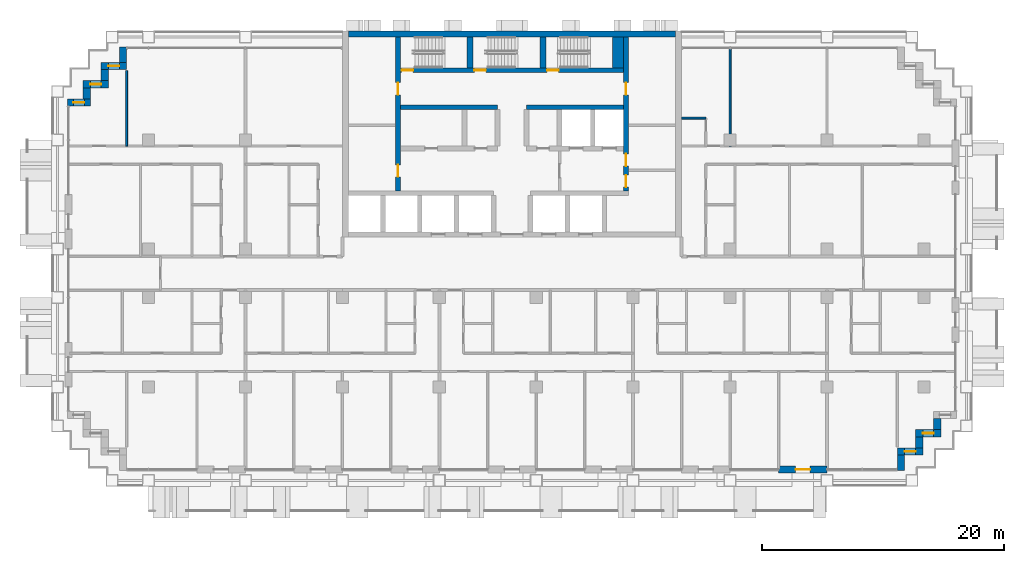
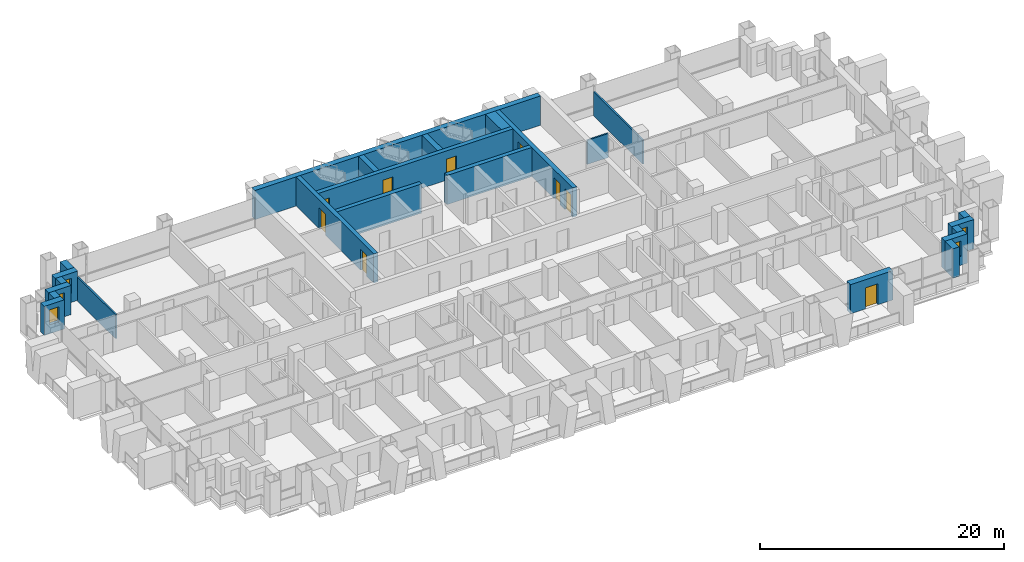
# One storey, part 13 of 19: 24 walls, 9 doors, 5 windows, 14 openings.
"""IFC4 building model written with IfcOpenShell, lengths in metres."""

from ifc_helpers import new_model, si_unit, direction, frame, frame_2d, origin, place, context, subcontext, project, spatial, rectangle, extrude, material, layer, layer_set, type_object, element, fill, save


model = new_model("IFC4")

# Units and contexts
model_context = context("Model", 3, precision=1e-05, world=origin(), true_north=direction((0.0, 1.0)))
body_context = subcontext(model_context, "Body", "Model", "MODEL_VIEW")
ifc_project = project(units=[si_unit("LENGTHUNIT", "METRE"), si_unit("AREAUNIT", "SQUARE_METRE"), si_unit("VOLUMEUNIT", "CUBIC_METRE"), si_unit("PLANEANGLEUNIT", "RADIAN"), si_unit("MASSUNIT", "GRAM", prefix="KILO")], contexts=[model_context])

# Site, building, storey
site_placement = place(None, origin())
site = spatial("IfcSite", under=ifc_project, at=site_placement, CompositionType="ELEMENT")
building_placement = place(site_placement, origin())
building = spatial("IfcBuilding", under=site, at=building_placement, Name="Vidyagriha Tower", CompositionType="ELEMENT")
storey_placement = place(building_placement, frame((0.0, 0.0, 57.60009765625)))
storey = spatial("IfcBuildingStorey", under=building, at=storey_placement, Name="L15", CompositionType="ELEMENT", Elevation=57.60009765625)

# Wall
ifc_material_1 = material(Name="Precast concrete C40/50 with brick facing", Category="concrete")
ifc_layer_1 = layer(ifc_material_1, 0.60009765625)
ifc_layer_set_1 = layer_set([ifc_layer_1], Name="Precast concrete C40/50 with brick facing")
wall_type_1 = type_object("IfcWallType", Name="Brick-faced precast wall 600", PredefinedType="STANDARD", material=ifc_layer_set_1)
wall_1_placement = place(storey_placement, frame((-32.10009765625, 18.679931640625, 0.0), z_axis=(0.0, 0.0, 1.0), x_axis=(0.0, -1.0, 0.0)))
element("IfcWall", 1, at=wall_1_placement, inside=storey, type_object=wall_type_1, Name="Stepped corner wall L15 R10", PredefinedType="STANDARD", context=body_context, shape_type="SweptSolid", body=[
    extrude(rectangle(XDim=1.280029296875, YDim=0.60009765625, at=frame_2d((0.64013671875, 0.0))), origin(), (0.0, 0.0, 1.0), 2.919921875),
])

# Wall, opening, window
wall_2_placement = place(storey_placement, frame((-31.800048828125, 17.10009765625, 0.0), z_axis=(0.0, 0.0, 1.0), x_axis=(-1.0, 0.0, 0.0)))
wall_2 = element("IfcWall", 2, at=wall_2_placement, inside=storey, type_object=wall_type_1, Name="Stepped corner wall L15 R11", PredefinedType="STANDARD", context=body_context, shape_type="SweptSolid", body=[
    extrude(rectangle(XDim=2.099853515625, YDim=0.60009765625, at=frame_2d((1.0498046875, 0.0))), origin(), (0.0, 0.0, 1.0), 2.919921875),
])
opening_1_placement = place(wall_2_placement, frame((0.60009765625, 0.0, 0.89990234375)))
opening_1 = element("IfcOpeningElement", 3, at=opening_1_placement, cuts=wall_2, Name="Opening WN1", PredefinedType="OPENING", context=body_context, shape_type="SweptSolid", body=[
    extrude(rectangle(XDim=0.89990234375, YDim=1.5, at=frame_2d((0.449951171875, 0.75))), frame((0.0, 0.31005859375, 0.0), z_axis=(0.0, -1.0, 0.0), x_axis=(1.0, 0.0, 0.0)), (0.0, 0.0, 1.0), 0.6201171875),
])
ifc_material_2 = material(Name="Aluminium and glass window", Category="aluminium")
window_type = type_object("IfcWindowType", Name="Reveal window 900x1500", PartitioningType="NOTDEFINED", PredefinedType="WINDOW", material=ifc_material_2)
window_1_placement = place(opening_1_placement, origin())
window_1 = element("IfcWindow", 4, at=window_1_placement, inside=storey, type_object=window_type, Name="Reveal window L15 R11", OverallHeight=1.5, OverallWidth=0.89990234375, PartitioningType="SINGLE_PANEL", PredefinedType="WINDOW", context=body_context, shape_type="SweptSolid", body=[
    extrude(rectangle(XDim=0.89990234375, YDim=1.5, at=frame_2d((0.449951171875, 0.75))), frame((0.0, 0.030029296875, 0.0), z_axis=(0.0, -1.0, 0.0), x_axis=(1.0, 0.0, 0.0)), (0.0, 0.0, 1.0), 0.06005859375),
])
fill(opening_1, window_1)

# Wall
wall_3_placement = place(storey_placement, frame((-33.60009765625, 16.800048828125, 0.0), z_axis=(0.0, 0.0, 1.0), x_axis=(0.0, -1.0, 0.0)))
element("IfcWall", 5, at=wall_3_placement, inside=storey, type_object=wall_type_1, Name="Stepped corner wall L15 R12", PredefinedType="STANDARD", context=body_context, shape_type="SweptSolid", body=[
    extrude(rectangle(XDim=0.900146484375, YDim=0.60009765625, at=frame_2d((0.4501953125, 0.0))), origin(), (0.0, 0.0, 1.0), 2.919921875),
])

# Wall, opening, window
wall_4_placement = place(storey_placement, frame((-33.300048828125, 15.60009765625, 0.0), z_axis=(0.0, 0.0, 1.0), x_axis=(-1.0, 0.0, 0.0)))
wall_4 = element("IfcWall", 6, at=wall_4_placement, inside=storey, type_object=wall_type_1, Name="Stepped corner wall L15 R13", PredefinedType="STANDARD", context=body_context, shape_type="SweptSolid", body=[
    extrude(rectangle(XDim=2.099853515625, YDim=0.60009765625, at=frame_2d((1.0498046875, 0.0))), origin(), (0.0, 0.0, 1.0), 2.919921875),
])
opening_2_placement = place(wall_4_placement, frame((0.60009765625, 0.0, 0.89990234375)))
opening_2 = element("IfcOpeningElement", 7, at=opening_2_placement, cuts=wall_4, Name="Opening WN1", PredefinedType="OPENING", context=body_context, shape_type="SweptSolid", body=[
    extrude(rectangle(XDim=0.89990234375, YDim=1.5, at=frame_2d((0.449951171875, 0.75))), frame((0.0, 0.31005859375, 0.0), z_axis=(0.0, -1.0, 0.0), x_axis=(1.0, 0.0, 0.0)), (0.0, 0.0, 1.0), 0.6201171875),
])
window_2_placement = place(opening_2_placement, origin())
window_2 = element("IfcWindow", 8, at=window_2_placement, inside=storey, type_object=window_type, Name="Reveal window L15 R13", OverallHeight=1.5, OverallWidth=0.89990234375, PartitioningType="SINGLE_PANEL", PredefinedType="WINDOW", context=body_context, shape_type="SweptSolid", body=[
    extrude(rectangle(XDim=0.89990234375, YDim=1.5, at=frame_2d((0.449951171875, 0.75))), frame((0.0, 0.030029296875, 0.0), z_axis=(0.0, -1.0, 0.0), x_axis=(1.0, 0.0, 0.0)), (0.0, 0.0, 1.0), 0.06005859375),
])
fill(opening_2, window_2)

# Wall
wall_5_placement = place(storey_placement, frame((-35.10009765625, 15.300048828125, 0.0), z_axis=(0.0, 0.0, 1.0), x_axis=(0.0, -1.0, 0.0)))
element("IfcWall", 9, at=wall_5_placement, inside=storey, type_object=wall_type_1, Name="Stepped corner wall L15 R14", PredefinedType="STANDARD", context=body_context, shape_type="SweptSolid", body=[
    extrude(rectangle(XDim=0.900146484375, YDim=0.60009765625, at=frame_2d((0.4501953125, 0.0))), origin(), (0.0, 0.0, 1.0), 2.919921875),
])

# Wall, opening, window
wall_6_placement = place(storey_placement, frame((-34.800048828125, 14.10009765625, 0.0), z_axis=(0.0, 0.0, 1.0), x_axis=(-1.0, 0.0, 0.0)))
wall_6 = element("IfcWall", 10, at=wall_6_placement, inside=storey, type_object=wall_type_1, Name="Stepped corner wall L15 R15", PredefinedType="STANDARD", context=body_context, shape_type="SweptSolid", body=[
    extrude(rectangle(XDim=1.8798828125, YDim=0.60009765625, at=frame_2d((0.93994140625, 0.0))), origin(), (0.0, 0.0, 1.0), 2.919921875),
])
opening_3_placement = place(wall_6_placement, frame((0.489990234375, 0.0, 0.89990234375)))
opening_3 = element("IfcOpeningElement", 11, at=opening_3_placement, cuts=wall_6, Name="Opening WN1", PredefinedType="OPENING", context=body_context, shape_type="SweptSolid", body=[
    extrude(rectangle(XDim=0.89990234375, YDim=1.5, at=frame_2d((0.449951171875, 0.75))), frame((0.0, 0.31005859375, 0.0), z_axis=(0.0, -1.0, 0.0), x_axis=(1.0, 0.0, 0.0)), (0.0, 0.0, 1.0), 0.6201171875),
])
window_3_placement = place(opening_3_placement, origin())
window_3 = element("IfcWindow", 12, at=window_3_placement, inside=storey, type_object=window_type, Name="Reveal window L15 R15", OverallHeight=1.5, OverallWidth=0.89990234375, PartitioningType="SINGLE_PANEL", PredefinedType="WINDOW", context=body_context, shape_type="SweptSolid", body=[
    extrude(rectangle(XDim=0.89990234375, YDim=1.5, at=frame_2d((0.449951171875, 0.75))), frame((0.0, 0.030029296875, 0.0), z_axis=(0.0, -1.0, 0.0), x_axis=(1.0, 0.0, 0.0)), (0.0, 0.0, 1.0), 0.06005859375),
])
fill(opening_3, window_3)

# Wall, opening, door
wall_7_placement = place(storey_placement, frame((22.0, -16.199951171875, 0.0)))
wall_7 = element("IfcWall", 13, at=wall_7_placement, inside=storey, type_object=wall_type_1, Name="Brick door bay wall L15 R23.15", PredefinedType="STANDARD", context=body_context, shape_type="SweptSolid", body=[
    extrude(rectangle(XDim=4.0, YDim=0.60009765625, at=frame_2d((2.0, 0.0))), origin(), (0.0, 0.0, 1.0), 2.919921875),
])
opening_4_placement = place(wall_7_placement, frame((1.39990234375, 0.0, 0.0)))
opening_4 = element("IfcOpeningElement", 14, at=opening_4_placement, cuts=wall_7, Name="Opening D15-90", PredefinedType="OPENING", context=body_context, shape_type="SweptSolid", body=[
    extrude(rectangle(XDim=1.199951171875, YDim=2.10009765625, at=frame_2d((0.60009765625, 1.050048828125))), frame((0.0, 0.31005859375, 0.0), z_axis=(0.0, -1.0, 0.0), x_axis=(1.0, 0.0, 0.0)), (0.0, 0.0, 1.0), 0.6201171875),
])
ifc_material_3 = material(Name="Aluminium framed glazed sliding door", Category="aluminium")
door_type_1 = type_object("IfcDoorType", Name="Balcony sliding door 1200x2100", OperationType="NOTDEFINED", PredefinedType="DOOR", material=ifc_material_3)
door_1_placement = place(opening_4_placement, origin())
door_1 = element("IfcDoor", 15, at=door_1_placement, inside=storey, type_object=door_type_1, Name="Door D15-90", OperationType="SLIDING_TO_LEFT", OverallHeight=2.10009765625, OverallWidth=1.199951171875, PredefinedType="DOOR", context=body_context, shape_type="SweptSolid", body=[
    extrude(rectangle(XDim=1.199951171875, YDim=2.10009765625, at=frame_2d((0.60009765625, 1.050048828125))), frame((0.0, 0.02490234375, 0.0), z_axis=(0.0, -1.0, 0.0), x_axis=(1.0, 0.0, 0.0)), (0.0, 0.0, 1.0), 0.050048828125),
])
fill(opening_4, door_1)

# Wall
wall_8_placement = place(storey_placement, frame((32.10009765625, -16.280029296875, 0.0), z_axis=(0.0, 0.0, 1.0), x_axis=(0.0, 1.0, 0.0)))
element("IfcWall", 16, at=wall_8_placement, inside=storey, type_object=wall_type_1, Name="Stepped corner wall L15 R24", PredefinedType="STANDARD", context=body_context, shape_type="SweptSolid", body=[
    extrude(rectangle(XDim=1.280029296875, YDim=0.60009765625, at=frame_2d((0.64013671875, 0.0))), origin(), (0.0, 0.0, 1.0), 2.919921875),
])

# Wall, opening, window
wall_9_placement = place(storey_placement, frame((31.800048828125, -14.699951171875, 0.0)))
wall_9 = element("IfcWall", 17, at=wall_9_placement, inside=storey, type_object=wall_type_1, Name="Stepped corner wall L15 R25", PredefinedType="STANDARD", context=body_context, shape_type="SweptSolid", body=[
    extrude(rectangle(XDim=2.099853515625, YDim=0.60009765625, at=frame_2d((1.0498046875, 0.0))), origin(), (0.0, 0.0, 1.0), 2.919921875),
])
opening_5_placement = place(wall_9_placement, frame((0.60009765625, 0.0, 0.89990234375)))
opening_5 = element("IfcOpeningElement", 18, at=opening_5_placement, cuts=wall_9, Name="Opening WN1", PredefinedType="OPENING", context=body_context, shape_type="SweptSolid", body=[
    extrude(rectangle(XDim=0.89990234375, YDim=1.5, at=frame_2d((0.449951171875, 0.75))), frame((0.0, 0.31005859375, 0.0), z_axis=(0.0, -1.0, 0.0), x_axis=(1.0, 0.0, 0.0)), (0.0, 0.0, 1.0), 0.6201171875),
])
window_4_placement = place(opening_5_placement, origin())
window_4 = element("IfcWindow", 19, at=window_4_placement, inside=storey, type_object=window_type, Name="Reveal window L15 R25", OverallHeight=1.5, OverallWidth=0.89990234375, PartitioningType="SINGLE_PANEL", PredefinedType="WINDOW", context=body_context, shape_type="SweptSolid", body=[
    extrude(rectangle(XDim=0.89990234375, YDim=1.5, at=frame_2d((0.449951171875, 0.75))), frame((0.0, 0.030029296875, 0.0), z_axis=(0.0, -1.0, 0.0), x_axis=(1.0, 0.0, 0.0)), (0.0, 0.0, 1.0), 0.06005859375),
])
fill(opening_5, window_4)

# Wall
wall_10_placement = place(storey_placement, frame((33.60009765625, -14.39990234375, 0.0), z_axis=(0.0, 0.0, 1.0), x_axis=(0.0, 1.0, 0.0)))
element("IfcWall", 20, at=wall_10_placement, inside=storey, type_object=wall_type_1, Name="Stepped corner wall L15 R26", PredefinedType="STANDARD", context=body_context, shape_type="SweptSolid", body=[
    extrude(rectangle(XDim=0.89990234375, YDim=0.60009765625, at=frame_2d((0.449951171875, 0.0))), origin(), (0.0, 0.0, 1.0), 2.919921875),
])

# Wall, opening, window
wall_11_placement = place(storey_placement, frame((33.300048828125, -13.199951171875, 0.0)))
wall_11 = element("IfcWall", 21, at=wall_11_placement, inside=storey, type_object=wall_type_1, Name="Stepped corner wall L15 R27", PredefinedType="STANDARD", context=body_context, shape_type="SweptSolid", body=[
    extrude(rectangle(XDim=2.099853515625, YDim=0.60009765625, at=frame_2d((1.0498046875, 0.0))), origin(), (0.0, 0.0, 1.0), 2.919921875),
])
opening_6_placement = place(wall_11_placement, frame((0.60009765625, 0.0, 0.89990234375)))
opening_6 = element("IfcOpeningElement", 22, at=opening_6_placement, cuts=wall_11, Name="Opening WN1", PredefinedType="OPENING", context=body_context, shape_type="SweptSolid", body=[
    extrude(rectangle(XDim=0.89990234375, YDim=1.5, at=frame_2d((0.449951171875, 0.75))), frame((0.0, 0.31005859375, 0.0), z_axis=(0.0, -1.0, 0.0), x_axis=(1.0, 0.0, 0.0)), (0.0, 0.0, 1.0), 0.6201171875),
])
window_5_placement = place(opening_6_placement, origin())
window_5 = element("IfcWindow", 23, at=window_5_placement, inside=storey, type_object=window_type, Name="Reveal window L15 R27", OverallHeight=1.5, OverallWidth=0.89990234375, PartitioningType="SINGLE_PANEL", PredefinedType="WINDOW", context=body_context, shape_type="SweptSolid", body=[
    extrude(rectangle(XDim=0.89990234375, YDim=1.5, at=frame_2d((0.449951171875, 0.75))), frame((0.0, 0.030029296875, 0.0), z_axis=(0.0, -1.0, 0.0), x_axis=(1.0, 0.0, 0.0)), (0.0, 0.0, 1.0), 0.06005859375),
])
fill(opening_6, window_5)

# Wall
wall_12_placement = place(storey_placement, frame((35.10009765625, -12.89990234375, 0.0), z_axis=(0.0, 0.0, 1.0), x_axis=(0.0, 1.0, 0.0)))
element("IfcWall", 24, at=wall_12_placement, inside=storey, type_object=wall_type_1, Name="Stepped corner wall L15 R28", PredefinedType="STANDARD", context=body_context, shape_type="SweptSolid", body=[
    extrude(rectangle(XDim=0.89990234375, YDim=0.60009765625, at=frame_2d((0.449951171875, 0.0))), origin(), (0.0, 0.0, 1.0), 2.919921875),
])

# Wall, openings, doors
ifc_material_4 = material(Name="Concrete C60/75", Category="concrete")
ifc_layer_2 = layer(ifc_material_4, 0.39990234375)
ifc_layer_set_2 = layer_set([ifc_layer_2], Name="Concrete C60/75")
wall_type_2 = type_object("IfcWallType", Name="Core shear wall 400 mm", PredefinedType="SHEAR", material=ifc_layer_set_2)
wall_13_placement = place(storey_placement, frame((-9.39990234375, 6.800048828125, 0.0), z_axis=(0.0, 0.0, 1.0), x_axis=(0.0, 1.0, 0.0)))
wall_13 = element("IfcWall", 25, at=wall_13_placement, inside=storey, type_object=wall_type_2, Name="Core west spine wall", PredefinedType="SHEAR", context=body_context, shape_type="SweptSolid", body=[
    extrude(rectangle(XDim=12.699951171875, YDim=0.39990234375, at=frame_2d((6.35009765625, 0.0))), origin(), (0.0, 0.0, 1.0), 2.919921875),
])
opening_7_placement = place(wall_13_placement, frame((1.14990234375, 0.0, 0.0)))
opening_7 = element("IfcOpeningElement", 26, at=opening_7_placement, cuts=wall_13, Name="Opening D15-09", PredefinedType="OPENING", context=body_context, shape_type="SweptSolid", body=[
    extrude(rectangle(XDim=1.0, YDim=2.10009765625, at=frame_2d((0.5, 1.050048828125))), frame((0.0, 0.2099609375, 0.0), z_axis=(0.0, -1.0, 0.0), x_axis=(1.0, 0.0, 0.0)), (0.0, 0.0, 1.0), 0.419921875),
])
opening_8_placement = place(wall_13_placement, frame((7.925048828125, 0.0, 0.0)))
opening_8 = element("IfcOpeningElement", 27, at=opening_8_placement, cuts=wall_13, Name="Opening D15-10", PredefinedType="OPENING", context=body_context, shape_type="SweptSolid", body=[
    extrude(rectangle(XDim=1.0, YDim=2.10009765625, at=frame_2d((0.5, 1.050048828125))), frame((0.0, 0.2099609375, 0.0), z_axis=(0.0, -1.0, 0.0), x_axis=(1.0, 0.0, 0.0)), (0.0, 0.0, 1.0), 0.419921875),
])
ifc_material_5 = material(Name="Hollow metal door leaf")
door_type_2 = type_object("IfcDoorType", Name="Core room door 1000 x 2100 mm EI 60", OperationType="NOTDEFINED", PredefinedType="DOOR", material=ifc_material_5)
door_2_placement = place(opening_7_placement, frame((1.0, 0.0, 0.0), z_axis=(0.0, 0.0, 1.0), x_axis=(-1.0, 0.0, 0.0)))
door_2 = element("IfcDoor", 28, at=door_2_placement, inside=storey, type_object=door_type_2, Name="Door Storage Room 15.W1", OperationType="SINGLE_SWING_RIGHT", OverallHeight=2.10009765625, OverallWidth=1.0, PredefinedType="DOOR", context=body_context, shape_type="SweptSolid", body=[
    extrude(rectangle(XDim=1.0, YDim=2.10009765625, at=frame_2d((0.5, 1.050048828125))), frame((0.0, 0.02490234375, 0.0), z_axis=(0.0, -1.0, 0.0), x_axis=(1.0, 0.0, 0.0)), (0.0, 0.0, 1.0), 0.050048828125),
])
fill(opening_7, door_2)
door_3_placement = place(opening_8_placement, frame((1.0, 0.0, 0.0), z_axis=(0.0, 0.0, 1.0), x_axis=(-1.0, 0.0, 0.0)))
door_3 = element("IfcDoor", 29, at=door_3_placement, inside=storey, type_object=door_type_2, Name="Door Cleaners Store 15.W2", OperationType="SINGLE_SWING_LEFT", OverallHeight=2.10009765625, OverallWidth=1.0, PredefinedType="DOOR", context=body_context, shape_type="SweptSolid", body=[
    extrude(rectangle(XDim=1.0, YDim=2.10009765625, at=frame_2d((0.5, 1.050048828125))), frame((0.0, 0.02490234375, 0.0), z_axis=(0.0, -1.0, 0.0), x_axis=(1.0, 0.0, 0.0)), (0.0, 0.0, 1.0), 0.050048828125),
])
fill(opening_8, door_3)

wall_14_placement = place(storey_placement, frame((9.39990234375, 6.800048828125, 0.0), z_axis=(0.0, 0.0, 1.0), x_axis=(0.0, 1.0, 0.0)))
wall_14 = element("IfcWall", 30, at=wall_14_placement, inside=storey, type_object=wall_type_2, Name="Core east spine wall", PredefinedType="SHEAR", context=body_context, shape_type="SweptSolid", body=[
    extrude(rectangle(XDim=12.699951171875, YDim=0.39990234375, at=frame_2d((6.35009765625, 0.0))), origin(), (0.0, 0.0, 1.0), 2.919921875),
])
opening_9_placement = place(wall_14_placement, frame((0.300048828125, 0.0, 0.0)))
opening_9 = element("IfcOpeningElement", 31, at=opening_9_placement, cuts=wall_14, Name="Opening D15-11", PredefinedType="OPENING", context=body_context, shape_type="SweptSolid", body=[
    extrude(rectangle(XDim=1.0, YDim=2.10009765625, at=frame_2d((0.5, 1.050048828125))), frame((0.0, 0.2099609375, 0.0), z_axis=(0.0, -1.0, 0.0), x_axis=(1.0, 0.0, 0.0)), (0.0, 0.0, 1.0), 0.419921875),
])
opening_10_placement = place(wall_14_placement, frame((2.050048828125, 0.0, 0.0)))
opening_10 = element("IfcOpeningElement", 32, at=opening_10_placement, cuts=wall_14, Name="Opening D15-12", PredefinedType="OPENING", context=body_context, shape_type="SweptSolid", body=[
    extrude(rectangle(XDim=1.0, YDim=2.10009765625, at=frame_2d((0.5, 1.050048828125))), frame((0.0, 0.2099609375, 0.0), z_axis=(0.0, -1.0, 0.0), x_axis=(1.0, 0.0, 0.0)), (0.0, 0.0, 1.0), 0.419921875),
])
opening_11_placement = place(wall_14_placement, frame((7.925048828125, 0.0, 0.0)))
opening_11 = element("IfcOpeningElement", 33, at=opening_11_placement, cuts=wall_14, Name="Opening D15-13", PredefinedType="OPENING", context=body_context, shape_type="SweptSolid", body=[
    extrude(rectangle(XDim=1.0, YDim=2.10009765625, at=frame_2d((0.5, 1.050048828125))), frame((0.0, 0.2099609375, 0.0), z_axis=(0.0, -1.0, 0.0), x_axis=(1.0, 0.0, 0.0)), (0.0, 0.0, 1.0), 0.419921875),
])
door_4_placement = place(opening_9_placement, origin())
door_4 = element("IfcDoor", 34, at=door_4_placement, inside=storey, type_object=door_type_2, Name="Door Communications Room 15.E1", OperationType="SINGLE_SWING_RIGHT", OverallHeight=2.10009765625, OverallWidth=1.0, PredefinedType="DOOR", context=body_context, shape_type="SweptSolid", body=[
    extrude(rectangle(XDim=1.0, YDim=2.10009765625, at=frame_2d((0.5, 1.050048828125))), frame((0.0, 0.02490234375, 0.0), z_axis=(0.0, -1.0, 0.0), x_axis=(1.0, 0.0, 0.0)), (0.0, 0.0, 1.0), 0.050048828125),
])
fill(opening_9, door_4)
door_5_placement = place(opening_10_placement, origin())
door_5 = element("IfcDoor", 35, at=door_5_placement, inside=storey, type_object=door_type_2, Name="Door Pressurisation Plant Room 15.E2", OperationType="SINGLE_SWING_LEFT", OverallHeight=2.10009765625, OverallWidth=1.0, PredefinedType="DOOR", context=body_context, shape_type="SweptSolid", body=[
    extrude(rectangle(XDim=1.0, YDim=2.10009765625, at=frame_2d((0.5, 1.050048828125))), frame((0.0, 0.02490234375, 0.0), z_axis=(0.0, -1.0, 0.0), x_axis=(1.0, 0.0, 0.0)), (0.0, 0.0, 1.0), 0.050048828125),
])
fill(opening_10, door_5)
door_6_placement = place(opening_11_placement, origin())
door_6 = element("IfcDoor", 36, at=door_6_placement, inside=storey, type_object=door_type_2, Name="Door Switchgear Room 15.E3", OperationType="SINGLE_SWING_LEFT", OverallHeight=2.10009765625, OverallWidth=1.0, PredefinedType="DOOR", context=body_context, shape_type="SweptSolid", body=[
    extrude(rectangle(XDim=1.0, YDim=2.10009765625, at=frame_2d((0.5, 1.050048828125))), frame((0.0, 0.02490234375, 0.0), z_axis=(0.0, -1.0, 0.0), x_axis=(1.0, 0.0, 0.0)), (0.0, 0.0, 1.0), 0.050048828125),
])
fill(opening_11, door_6)

# Walls
for number, where, name in (
    (37, (-9.199951171875, 13.699951171875, 0.0), "Core row N rear wall"),
    (38, (1.199951171875, 13.699951171875, 0.0), "Core row N rear wall"),
):
    element("IfcWall", number, at=place(storey_placement, frame(where)), inside=storey, type_object=wall_type_2, Name=name, PredefinedType="SHEAR", context=body_context, shape_type="SweptSolid", body=[
        extrude(rectangle(XDim=8.0, YDim=0.39990234375, at=frame_2d((4.0, 0.0))), origin(), (0.0, 0.0, 1.0), 2.919921875),
    ])

# Wall, openings, doors
wall_15_placement = place(storey_placement, frame((-9.199951171875, 16.75, 0.0)))
wall_15 = element("IfcWall", 39, at=wall_15_placement, inside=storey, type_object=wall_type_2, Name="Stair front wall", PredefinedType="SHEAR", context=body_context, shape_type="SweptSolid", body=[
    extrude(rectangle(XDim=18.39990234375, YDim=0.39990234375, at=frame_2d((9.199951171875, 0.0))), origin(), (0.0, 0.0, 1.0), 2.919921875),
])
opening_12_placement = place(wall_15_placement, frame((0.10009765625, 0.0, 0.0)))
opening_12 = element("IfcOpeningElement", 40, at=opening_12_placement, cuts=wall_15, Name="Opening D15-06", PredefinedType="OPENING", context=body_context, shape_type="SweptSolid", body=[
    extrude(rectangle(XDim=0.949951171875, YDim=2.10009765625, at=frame_2d((0.47509765625, 1.050048828125))), frame((0.0, 0.2099609375, 0.0), z_axis=(0.0, -1.0, 0.0), x_axis=(1.0, 0.0, 0.0)), (0.0, 0.0, 1.0), 0.419921875),
])
opening_13_placement = place(wall_15_placement, frame((6.10009765625, 0.0, 0.0)))
opening_13 = element("IfcOpeningElement", 41, at=opening_13_placement, cuts=wall_15, Name="Opening D15-07", PredefinedType="OPENING", context=body_context, shape_type="SweptSolid", body=[
    extrude(rectangle(XDim=0.949951171875, YDim=2.10009765625, at=frame_2d((0.47509765625, 1.050048828125))), frame((0.0, 0.2099609375, 0.0), z_axis=(0.0, -1.0, 0.0), x_axis=(1.0, 0.0, 0.0)), (0.0, 0.0, 1.0), 0.419921875),
])
opening_14_placement = place(wall_15_placement, frame((12.10009765625, 0.0, 0.0)))
opening_14 = element("IfcOpeningElement", 42, at=opening_14_placement, cuts=wall_15, Name="Opening D15-08", PredefinedType="OPENING", context=body_context, shape_type="SweptSolid", body=[
    extrude(rectangle(XDim=0.949951171875, YDim=2.10009765625, at=frame_2d((0.47509765625, 1.050048828125))), frame((0.0, 0.2099609375, 0.0), z_axis=(0.0, -1.0, 0.0), x_axis=(1.0, 0.0, 0.0)), (0.0, 0.0, 1.0), 0.419921875),
])
ifc_material_6 = material(Name="Hollow metal door leaf")
door_type_3 = type_object("IfcDoorType", Name="Exit stair door 950 x 2100 mm EI 90", OperationType="NOTDEFINED", PredefinedType="DOOR", material=ifc_material_6)
door_7_placement = place(opening_12_placement, origin())
door_7 = element("IfcDoor", 43, at=door_7_placement, inside=storey, type_object=door_type_3, Name="Stair door ST1 L15", OperationType="SINGLE_SWING_LEFT", OverallHeight=2.10009765625, OverallWidth=0.949951171875, PredefinedType="DOOR", context=body_context, shape_type="SweptSolid", body=[
    extrude(rectangle(XDim=0.949951171875, YDim=2.10009765625, at=frame_2d((0.47509765625, 1.050048828125))), frame((0.0, 0.02490234375, 0.0), z_axis=(0.0, -1.0, 0.0), x_axis=(1.0, 0.0, 0.0)), (0.0, 0.0, 1.0), 0.050048828125),
])
fill(opening_12, door_7)
door_8_placement = place(opening_13_placement, origin())
door_8 = element("IfcDoor", 44, at=door_8_placement, inside=storey, type_object=door_type_3, Name="Stair door ST2 L15", OperationType="SINGLE_SWING_LEFT", OverallHeight=2.10009765625, OverallWidth=0.949951171875, PredefinedType="DOOR", context=body_context, shape_type="SweptSolid", body=[
    extrude(rectangle(XDim=0.949951171875, YDim=2.10009765625, at=frame_2d((0.47509765625, 1.050048828125))), frame((0.0, 0.02490234375, 0.0), z_axis=(0.0, -1.0, 0.0), x_axis=(1.0, 0.0, 0.0)), (0.0, 0.0, 1.0), 0.050048828125),
])
fill(opening_13, door_8)
door_9_placement = place(opening_14_placement, origin())
door_9 = element("IfcDoor", 45, at=door_9_placement, inside=storey, type_object=door_type_3, Name="Stair door ST3 L15", OperationType="SINGLE_SWING_LEFT", OverallHeight=2.10009765625, OverallWidth=0.949951171875, PredefinedType="DOOR", context=body_context, shape_type="SweptSolid", body=[
    extrude(rectangle(XDim=0.949951171875, YDim=2.10009765625, at=frame_2d((0.47509765625, 1.050048828125))), frame((0.0, 0.02490234375, 0.0), z_axis=(0.0, -1.0, 0.0), x_axis=(1.0, 0.0, 0.0)), (0.0, 0.0, 1.0), 0.050048828125),
])
fill(opening_14, door_9)

# Walls
ifc_material_7 = material(Name="Concrete C60/75", Category="concrete")
ifc_layer_3 = layer(ifc_material_7, 0.5)
ifc_layer_set_3 = layer_set([ifc_layer_3], Name="Concrete C60/75")
wall_type_3 = type_object("IfcWallType", Name="Core shear wall 500 mm", PredefinedType="SHEAR", material=ifc_layer_set_3)
wall_16_placement = place(storey_placement, frame((-13.5, 19.75, 0.0)))
element("IfcWall", 46, at=wall_16_placement, inside=storey, type_object=wall_type_3, Name="Core north wall", PredefinedType="SHEAR", context=body_context, shape_type="SweptSolid", body=[
    extrude(rectangle(XDim=27.0, YDim=0.5, at=frame_2d((13.5, 0.0))), origin(), (0.0, 0.0, 1.0), 2.919921875),
])
for number, where, z_axis, x_axis, name in (
    (47, (-3.449951171875, 16.949951171875, 0.0), (0.0, 0.0, 1.0), (0.0, 1.0, 0.0), "Stair partition wall 1"),
    (48, (2.550048828125, 16.949951171875, 0.0), (0.0, 0.0, 1.0), (0.0, 1.0, 0.0), "Stair partition wall 2"),
):
    element("IfcWall", number, at=place(storey_placement, frame(where, z_axis=z_axis, x_axis=x_axis)), inside=storey, type_object=wall_type_3, Name=name, PredefinedType="SHEAR", context=body_context, shape_type="SweptSolid", body=[
        extrude(rectangle(XDim=2.550048828125, YDim=0.5, at=frame_2d((1.27490234375, 0.0))), origin(), (0.0, 0.0, 1.0), 2.919921875),
    ])
ifc_material_8 = material(Name="Concrete C60/75", Category="concrete")
ifc_layer_4 = layer(ifc_material_8, 0.89990234375)
ifc_layer_set_4 = layer_set([ifc_layer_4], Name="Concrete C60/75")
wall_type_4 = type_object("IfcWallType", Name="Core shear wall 900 mm", PredefinedType="SHEAR", material=ifc_layer_set_4)
wall_17_placement = place(storey_placement, frame((8.75, 16.949951171875, 0.0), z_axis=(0.0, 0.0, 1.0), x_axis=(0.0, 1.0, 0.0)))
element("IfcWall", 49, at=wall_17_placement, inside=storey, type_object=wall_type_4, Name="Stair end wall", PredefinedType="SHEAR", context=body_context, shape_type="SweptSolid", body=[
    extrude(rectangle(XDim=2.550048828125, YDim=0.89990234375, at=frame_2d((1.27490234375, 0.0))), origin(), (0.0, 0.0, 1.0), 2.919921875),
])
ifc_material_9 = material(Name="Gypsum board partition")
ifc_layer_5 = layer(ifc_material_9, 0.14990234375)
ifc_layer_set_5 = layer_set([ifc_layer_5], Name="Gypsum board partition")
wall_type_5 = type_object("IfcWallType", Name="Gypsum board partition 150", PredefinedType="PARTITIONING", material=ifc_layer_set_5)
wall_18_placement = place(storey_placement, frame((-31.800048828125, 16.719970703125, 0.0), z_axis=(0.0, 0.0, 1.0), x_axis=(0.0, -1.0, 0.0)))
element("IfcWall", 50, at=wall_18_placement, inside=storey, type_object=wall_type_5, Name="Wall all-L15-w109", PredefinedType="PARTITIONING", context=body_context, shape_type="SweptSolid", body=[
    extrude(rectangle(XDim=6.219970703125, YDim=0.14990234375, at=frame_2d((3.10986328125, 0.0))), origin(), (0.0, 0.0, 1.0), 2.39990234375),
])
wall_19_placement = place(storey_placement, frame((18.0, 18.52099609375, 0.0), z_axis=(0.0, 0.0, 1.0), x_axis=(0.0, -1.0, 0.0)))
element("IfcWall", 51, at=wall_19_placement, inside=storey, type_object=wall_type_5, Name="Wall all-L15-w139", PredefinedType="PARTITIONING", context=body_context, shape_type="SweptSolid", body=[
    extrude(rectangle(XDim=8.02099609375, YDim=0.14990234375, at=frame_2d((4.010498046875, 0.0))), origin(), (0.0, 0.0, 1.0), 2.39990234375),
])
wall_20_placement = place(storey_placement, frame((14.0, 12.800048828125, 0.0)))
element("IfcWall", 52, at=wall_20_placement, inside=storey, type_object=wall_type_5, Name="Wall all-L15-w142", PredefinedType="PARTITIONING", context=body_context, shape_type="SweptSolid", body=[
    extrude(rectangle(XDim=2.0, YDim=0.14990234375, at=frame_2d((1.0, 0.0))), origin(), (0.0, 0.0, 1.0), 2.39990234375),
])

save(model, "model.ifc")
